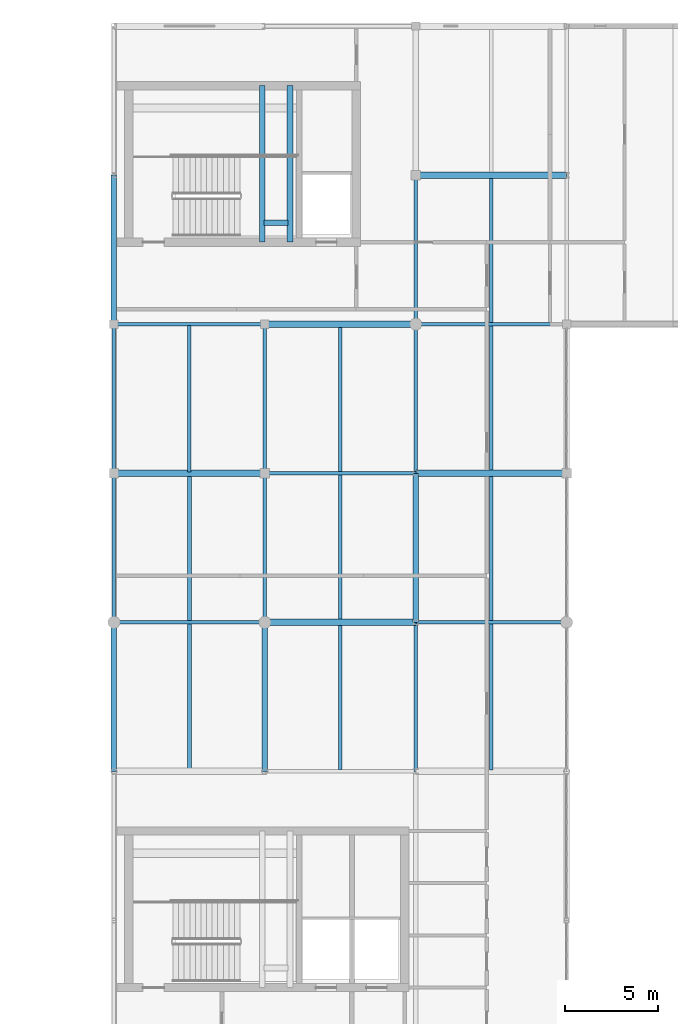
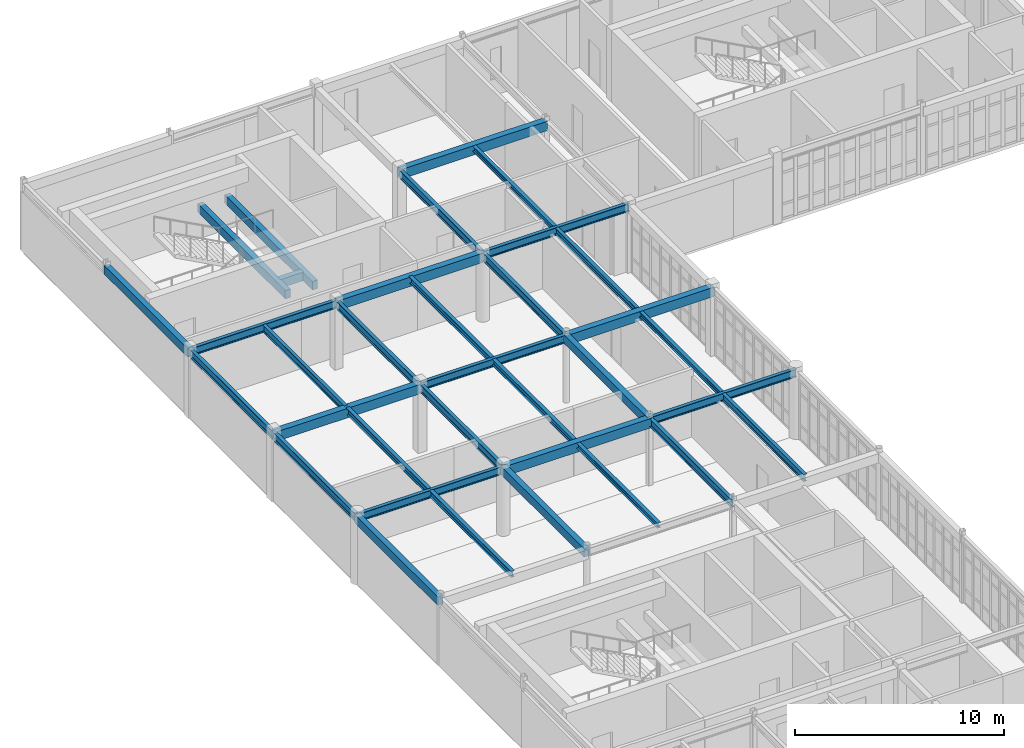
# One storey, part 9 of 36: 34 beams.
"""IFC4 building model written with IfcOpenShell, lengths in metres."""

from ifc_helpers import new_model, si_unit, direction, frame, origin, origin_2d, place, context, subcontext, project, spatial, rectangle, i_section, extrude, material, material_profile, profile_set, type_object, element, save


model = new_model("IFC4")

# Units and contexts
model_context = context("Model", 3, precision=1e-05, world=origin(), true_north=direction((0.0, 1.0)))
body_context = subcontext(model_context, "Body", "Model", "MODEL_VIEW")
ifc_project = project(units=[si_unit("LENGTHUNIT", "METRE"), si_unit("AREAUNIT", "SQUARE_METRE"), si_unit("VOLUMEUNIT", "CUBIC_METRE"), si_unit("PLANEANGLEUNIT", "RADIAN"), si_unit("MASSUNIT", "GRAM", prefix="KILO")], contexts=[model_context])

# Site, building, storey
site_placement = place(None, origin())
site = spatial("IfcSite", under=ifc_project, at=site_placement, CompositionType="ELEMENT")
building_placement = place(site_placement, origin())
building = spatial("IfcBuilding", under=site, at=building_placement, Name="Tarnveldt Square Police Headquarters", CompositionType="ELEMENT")
storey_placement = place(building_placement, frame((0.0, 0.0, 24.89990234375)))
storey = spatial("IfcBuildingStorey", under=building, at=storey_placement, Name="L05", CompositionType="ELEMENT", Elevation=24.89990234375)

# Beams
ifc_material_1 = material(Name="Concrete 40 MPa", Category="concrete")
ifc_material_profile_1 = material_profile(ifc_material_1, rectangle(XDim=0.300048828125, YDim=0.5, at=origin_2d()), Name="RC-B300x500")
ifc_profile_set_1 = profile_set([ifc_material_profile_1], Name="Concrete 40 MPa")
beam_type_1 = type_object("IfcBeamType", Name="BM-RC300x500", PredefinedType="BEAM", material=ifc_profile_set_1)
beam_1_placement = place(storey_placement, frame((24.14990234375, 100.39990234375, 1.650146484375), z_axis=(0.0, 1.0, 0.0), x_axis=(-1.0, 0.0, 0.0)))
element("IfcBeam", 1, at=beam_1_placement, inside=storey, type_object=beam_type_1, Name="ST2 L05 Half-Landing Support Beam 1", PredefinedType="BEAM", context=body_context, shape_type="SweptSolid", body=[
    extrude(rectangle(XDim=0.300048828125, YDim=0.5, at=origin_2d()), origin(), (0.0, 0.0, 1.0), 8.400146484375),
])
beam_2_placement = place(storey_placement, frame((24.25, 101.449951171875, 1.650146484375), z_axis=(1.0, 0.0, 0.0), x_axis=(0.0, 1.0, 0.0)))
element("IfcBeam", 2, at=beam_2_placement, inside=storey, type_object=beam_type_1, Name="ST2 L05 Half-Landing Support Beam 2", PredefinedType="BEAM", context=body_context, shape_type="SweptSolid", body=[
    extrude(rectangle(XDim=0.300048828125, YDim=0.5, at=origin_2d()), origin(), (0.0, 0.0, 1.0), 1.300048828125),
])
beam_3_placement = place(storey_placement, frame((25.64990234375, 100.39990234375, 1.650146484375), z_axis=(0.0, 1.0, 0.0), x_axis=(-1.0, 0.0, 0.0)))
element("IfcBeam", 3, at=beam_3_placement, inside=storey, type_object=beam_type_1, Name="ST2 L05 Half-Landing Transverse Support Beam", PredefinedType="BEAM", context=body_context, shape_type="SweptSolid", body=[
    extrude(rectangle(XDim=0.300048828125, YDim=0.5, at=origin_2d()), origin(), (0.0, 0.0, 1.0), 8.400146484375),
])
for number, where, z_axis, x_axis, name in (
    (4, (16.199951171875, 72.0, 3.710205078125), (0.0, 1.0, 0.0), (-1.0, 0.0, 0.0), "L06 Grid Girder Y-1048"),
    (5, (16.199951171875, 96.0, 3.710205078125), (0.0, 1.0, 0.0), (-1.0, 0.0, 0.0), "L06 Grid Girder Y-1051"),
    (6, (24.300048828125, 72.0, 3.710205078125), (0.0, 1.0, 0.0), (-1.0, 0.0, 0.0), "L06 Grid Girder Y-1054"),
    (7, (32.39990234375, 80.0, 3.710205078125), (0.0, 1.0, 0.0), (-1.0, 0.0, 0.0), "L06 Grid Girder Y-1060"),
):
    element("IfcBeam", number, at=place(storey_placement, frame(where, z_axis=z_axis, x_axis=x_axis)), inside=storey, type_object=beam_type_1, Name=name, PredefinedType="BEAM", context=body_context, shape_type="SweptSolid", body=[
        extrude(rectangle(XDim=0.300048828125, YDim=0.5, at=origin_2d()), origin(), (0.0, 0.0, 1.0), 8.0),
    ])
ifc_material_profile_2 = material_profile(ifc_material_1, rectangle(XDim=0.35009765625, YDim=0.550048828125, at=origin_2d()), Name="RC-B350x550")
ifc_profile_set_2 = profile_set([ifc_material_profile_2], Name="Concrete 40 MPa")
beam_type_2 = type_object("IfcBeamType", Name="BM-RC350x550", PredefinedType="BEAM", material=ifc_profile_set_2)
beam_4_placement = place(storey_placement, frame((24.300048828125, 80.0, 3.68505859375), z_axis=(1.0, 0.0, 0.0), x_axis=(0.0, 1.0, 0.0)))
element("IfcBeam", 8, at=beam_4_placement, inside=storey, type_object=beam_type_2, Name="L06 Grid Girder X-1018", PredefinedType="BEAM", context=body_context, shape_type="SweptSolid", body=[
    extrude(rectangle(XDim=0.35009765625, YDim=0.550048828125, at=origin_2d()), origin(), (0.0, 0.0, 1.0), 8.099853515625),
])
for number, where, z_axis, x_axis, name in (
    (9, (16.199951171875, 88.0, 3.68505859375), (1.0, 0.0, 0.0), (0.0, 1.0, 0.0), "L06 Grid Girder X-1020"),
    (10, (32.39990234375, 88.0, 3.68505859375), (1.0, 0.0, 0.0), (0.0, 1.0, 0.0), "L06 Grid Girder X-1022"),
):
    element("IfcBeam", number, at=place(storey_placement, frame(where, z_axis=z_axis, x_axis=x_axis)), inside=storey, type_object=beam_type_2, Name=name, PredefinedType="BEAM", context=body_context, shape_type="SweptSolid", body=[
        extrude(rectangle(XDim=0.35009765625, YDim=0.550048828125, at=origin_2d()), origin(), (0.0, 0.0, 1.0), 8.10009765625),
    ])
beam_5_placement = place(storey_placement, frame((24.300048828125, 96.0, 3.68505859375), z_axis=(1.0, 0.0, 0.0), x_axis=(0.0, 1.0, 0.0)))
element("IfcBeam", 11, at=beam_5_placement, inside=storey, type_object=beam_type_2, Name="L06 Grid Girder X-1024", PredefinedType="BEAM", context=body_context, shape_type="SweptSolid", body=[
    extrude(rectangle(XDim=0.35009765625, YDim=0.550048828125, at=origin_2d()), origin(), (0.0, 0.0, 1.0), 8.099853515625),
])
beam_6_placement = place(storey_placement, frame((32.39990234375, 104.0, 3.68505859375), z_axis=(1.0, 0.0, 0.0), x_axis=(0.0, 1.0, 0.0)))
element("IfcBeam", 12, at=beam_6_placement, inside=storey, type_object=beam_type_2, Name="L06 Grid Girder X-1032", PredefinedType="BEAM", context=body_context, shape_type="SweptSolid", body=[
    extrude(rectangle(XDim=0.35009765625, YDim=0.550048828125, at=origin_2d()), origin(), (0.0, 0.0, 1.0), 8.10009765625),
])
ifc_material_2 = material(Name="Steel 350W", Category="steel")
ifc_material_profile_3 = material_profile(ifc_material_2, i_section(OverallWidth=0.202880859375, OverallDepth=0.302978515625, WebThickness=0.007568359375, FlangeThickness=0.01318359375, FilletRadius=0.014892578125, at=origin_2d()), Name="W310x60")
ifc_profile_set_3 = profile_set([ifc_material_profile_3], Name="Steel 350W")
beam_type_3 = type_object("IfcBeamType", Name="BM-W310x60", PredefinedType="JOIST", material=ifc_profile_set_3)
for number, where, z_axis, x_axis, name in (
    (13, (28.35009765625, 72.080078125, 3.80859375), (0.0, 1.0, 0.0), (-1.0, 0.0, 0.0), "L06 Secondary Floor Joist 0240"),
    (14, (36.449951171875, 80.080078125, 3.80859375), (0.0, 1.0, 0.0), (-1.0, 0.0, 0.0), "L06 Secondary Floor Joist 0244"),
    (15, (36.449951171875, 96.080078125, 3.80859375), (0.0, 1.0, 0.0), (-1.0, 0.0, 0.0), "L06 Secondary Floor Joist 0248"),
):
    element("IfcBeam", number, at=place(storey_placement, frame(where, z_axis=z_axis, x_axis=x_axis)), inside=storey, type_object=beam_type_3, Name=name, PredefinedType="JOIST", context=body_context, shape_type="SweptSolid", body=[
        extrude(i_section(OverallWidth=0.202880859375, OverallDepth=0.302978515625, WebThickness=0.007568359375, FlangeThickness=0.01318359375, FilletRadius=0.014892578125, at=origin_2d()), origin(), (0.0, 0.0, 1.0), 7.83984375),
    ])
ifc_material_profile_4 = material_profile(ifc_material_2, i_section(OverallWidth=0.202880859375, OverallDepth=0.346923828125, WebThickness=0.0078125, FlangeThickness=0.013427734375, FilletRadius=0.01611328125, at=origin_2d()), Name="W360x64")
ifc_profile_set_4 = profile_set([ifc_material_profile_4], Name="Steel 350W")
beam_type_4 = type_object("IfcBeamType", Name="BM-W360x64", PredefinedType="JOIST", material=ifc_profile_set_4)
for number, where, z_axis, x_axis, name in (
    (16, (20.25, 72.080078125, 3.78662109375), (0.0, 1.0, 0.0), (-1.0, 0.0, 0.0), "L06 Secondary Floor Joist 0239"),
    (17, (28.35009765625, 80.080078125, 3.78662109375), (0.0, 1.0, 0.0), (-1.0, 0.0, 0.0), "L06 Secondary Floor Joist 0243"),
    (18, (36.449951171875, 88.080078125, 3.78662109375), (0.0, 1.0, 0.0), (-1.0, 0.0, 0.0), "L06 Secondary Floor Joist 0247"),
):
    element("IfcBeam", number, at=place(storey_placement, frame(where, z_axis=z_axis, x_axis=x_axis)), inside=storey, type_object=beam_type_4, Name=name, PredefinedType="JOIST", context=body_context, shape_type="SweptSolid", body=[
        extrude(i_section(OverallWidth=0.202880859375, OverallDepth=0.346923828125, WebThickness=0.0078125, FlangeThickness=0.013427734375, FilletRadius=0.01611328125, at=origin_2d()), origin(), (0.0, 0.0, 1.0), 7.83984375),
    ])
ifc_material_profile_5 = material_profile(ifc_material_2, i_section(OverallWidth=0.205078125, OverallDepth=0.35400390625, WebThickness=0.009521484375, FlangeThickness=0.016845703125, FilletRadius=0.01611328125, at=origin_2d()), Name="W360x79")
ifc_profile_set_5 = profile_set([ifc_material_profile_5], Name="Steel 350W")
beam_type_5 = type_object("IfcBeamType", Name="BM-W360x79", PredefinedType="JOIST", material=ifc_profile_set_5)
for number, where, z_axis, x_axis, name in (
    (19, (20.25, 80.080078125, 3.783203125), (0.0, 1.0, 0.0), (-1.0, 0.0, 0.0), "L06 Secondary Floor Joist 0242"),
    (20, (28.35009765625, 88.080078125, 3.783203125), (0.0, 1.0, 0.0), (-1.0, 0.0, 0.0), "L06 Secondary Floor Joist 0246"),
):
    element("IfcBeam", number, at=place(storey_placement, frame(where, z_axis=z_axis, x_axis=x_axis)), inside=storey, type_object=beam_type_5, Name=name, PredefinedType="JOIST", context=body_context, shape_type="SweptSolid", body=[
        extrude(i_section(OverallWidth=0.205078125, OverallDepth=0.35400390625, WebThickness=0.009521484375, FlangeThickness=0.016845703125, FilletRadius=0.01611328125, at=origin_2d()), origin(), (0.0, 0.0, 1.0), 7.83984375),
    ])
ifc_material_profile_6 = material_profile(ifc_material_2, i_section(OverallWidth=0.177978515625, OverallDepth=0.406982421875, WebThickness=0.0078125, FlangeThickness=0.0126953125, FilletRadius=0.01611328125, at=origin_2d()), Name="W410x60")
ifc_profile_set_6 = profile_set([ifc_material_profile_6], Name="Steel 350W")
beam_type_6 = type_object("IfcBeamType", Name="BM-W410x60", PredefinedType="JOIST", material=ifc_profile_set_6)
for number, where, z_axis, x_axis, name in (
    (21, (36.449951171875, 72.080078125, 3.756591796875), (0.0, 1.0, 0.0), (-1.0, 0.0, 0.0), "L06 Secondary Floor Joist 0241"),
    (22, (20.25, 88.080078125, 3.756591796875), (0.0, 1.0, 0.0), (-1.0, 0.0, 0.0), "L06 Secondary Floor Joist 0245"),
):
    element("IfcBeam", number, at=place(storey_placement, frame(where, z_axis=z_axis, x_axis=x_axis)), inside=storey, type_object=beam_type_6, Name=name, PredefinedType="JOIST", context=body_context, shape_type="SweptSolid", body=[
        extrude(i_section(OverallWidth=0.177978515625, OverallDepth=0.406982421875, WebThickness=0.0078125, FlangeThickness=0.0126953125, FilletRadius=0.01611328125, at=origin_2d()), origin(), (0.0, 0.0, 1.0), 7.83984375),
    ])
ifc_material_profile_7 = material_profile(ifc_material_2, i_section(OverallWidth=0.19189453125, OverallDepth=0.462890625, WebThickness=0.010498046875, FlangeThickness=0.017578125, FilletRadius=0.01806640625, at=origin_2d()), Name="W460x89")
ifc_profile_set_7 = profile_set([ifc_material_profile_7], Name="Steel 350W")
beam_type_7 = type_object("IfcBeamType", Name="BM-W460x89", PredefinedType="BEAM", material=ifc_profile_set_7)
for number, where, z_axis, x_axis, name in (
    (23, (16.199951171875, 80.0, 3.728515625), (1.0, 0.0, 0.0), (0.0, 1.0, 0.0), "L06 Grid Girder X-1017"),
    (24, (32.39990234375, 80.0, 3.728515625), (1.0, 0.0, 0.0), (0.0, 1.0, 0.0), "L06 Grid Girder X-1019"),
):
    element("IfcBeam", number, at=place(storey_placement, frame(where, z_axis=z_axis, x_axis=x_axis)), inside=storey, type_object=beam_type_7, Name=name, PredefinedType="BEAM", context=body_context, shape_type="SweptSolid", body=[
        extrude(i_section(OverallWidth=0.19189453125, OverallDepth=0.462890625, WebThickness=0.010498046875, FlangeThickness=0.017578125, FilletRadius=0.01806640625, at=origin_2d()), origin(), (0.0, 0.0, 1.0), 8.10009765625),
    ])
beam_7_placement = place(storey_placement, frame((24.300048828125, 88.0, 3.728515625), z_axis=(1.0, 0.0, 0.0), x_axis=(0.0, 1.0, 0.0)))
element("IfcBeam", 25, at=beam_7_placement, inside=storey, type_object=beam_type_7, Name="L06 Grid Girder X-1021", PredefinedType="BEAM", context=body_context, shape_type="SweptSolid", body=[
    extrude(i_section(OverallWidth=0.19189453125, OverallDepth=0.462890625, WebThickness=0.010498046875, FlangeThickness=0.017578125, FilletRadius=0.01806640625, at=origin_2d()), origin(), (0.0, 0.0, 1.0), 8.099853515625),
])
for number, where, z_axis, x_axis, name in (
    (26, (16.199951171875, 96.0, 3.728515625), (1.0, 0.0, 0.0), (0.0, 1.0, 0.0), "L06 Grid Girder X-1023"),
    (27, (32.39990234375, 96.0, 3.728515625), (1.0, 0.0, 0.0), (0.0, 1.0, 0.0), "L06 Grid Girder X-1025"),
):
    element("IfcBeam", number, at=place(storey_placement, frame(where, z_axis=z_axis, x_axis=x_axis)), inside=storey, type_object=beam_type_7, Name=name, PredefinedType="BEAM", context=body_context, shape_type="SweptSolid", body=[
        extrude(i_section(OverallWidth=0.19189453125, OverallDepth=0.462890625, WebThickness=0.010498046875, FlangeThickness=0.017578125, FilletRadius=0.01806640625, at=origin_2d()), origin(), (0.0, 0.0, 1.0), 8.10009765625),
    ])
for number, where, z_axis, x_axis, name in (
    (28, (16.199951171875, 80.0, 3.728515625), (0.0, 1.0, 0.0), (-1.0, 0.0, 0.0), "L06 Grid Girder Y-1049"),
    (29, (16.199951171875, 88.0, 3.728515625), (0.0, 1.0, 0.0), (-1.0, 0.0, 0.0), "L06 Grid Girder Y-1050"),
    (30, (24.300048828125, 80.0, 3.728515625), (0.0, 1.0, 0.0), (-1.0, 0.0, 0.0), "L06 Grid Girder Y-1055"),
    (31, (24.300048828125, 88.0, 3.728515625), (0.0, 1.0, 0.0), (-1.0, 0.0, 0.0), "L06 Grid Girder Y-1056"),
    (32, (32.39990234375, 72.0, 3.728515625), (0.0, 1.0, 0.0), (-1.0, 0.0, 0.0), "L06 Grid Girder Y-1059"),
    (33, (32.39990234375, 88.0, 3.728515625), (0.0, 1.0, 0.0), (-1.0, 0.0, 0.0), "L06 Grid Girder Y-1061"),
    (34, (32.39990234375, 96.0, 3.728515625), (0.0, 1.0, 0.0), (-1.0, 0.0, 0.0), "L06 Grid Girder Y-1062"),
):
    element("IfcBeam", number, at=place(storey_placement, frame(where, z_axis=z_axis, x_axis=x_axis)), inside=storey, type_object=beam_type_7, Name=name, PredefinedType="BEAM", context=body_context, shape_type="SweptSolid", body=[
        extrude(i_section(OverallWidth=0.19189453125, OverallDepth=0.462890625, WebThickness=0.010498046875, FlangeThickness=0.017578125, FilletRadius=0.01806640625, at=origin_2d()), origin(), (0.0, 0.0, 1.0), 8.0),
    ])

save(model, "model.ifc")
